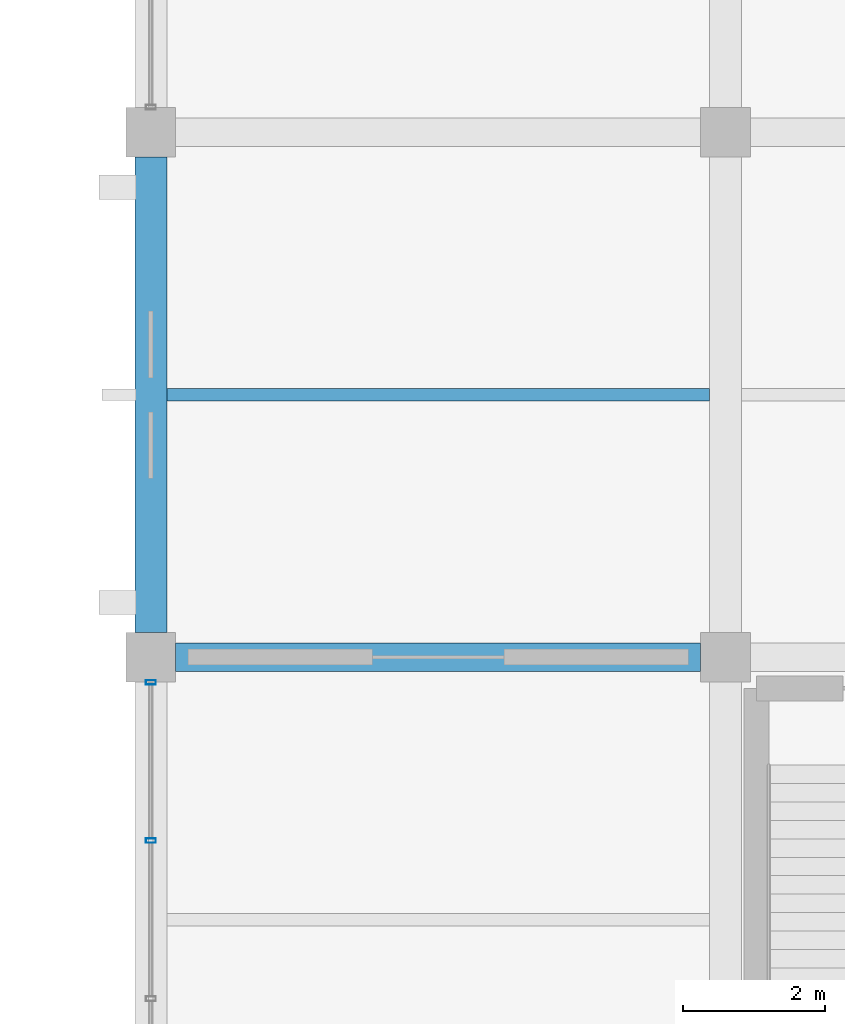
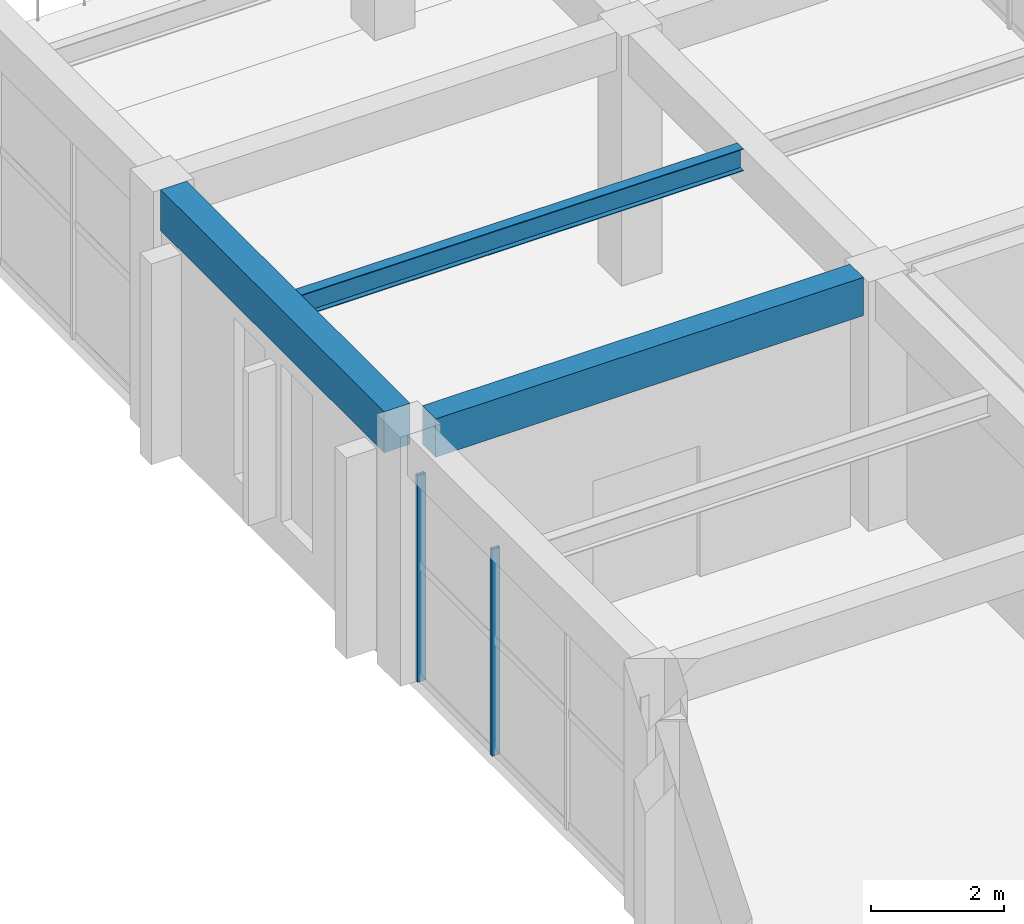
# One storey, part 27 of 161: 3 beams, 2 members, 1 element without a shape of its own.
"""IFC4 building model written with IfcOpenShell, lengths in metres."""

from ifc_helpers import new_model, si_unit, direction, frame, origin, origin_2d, place, context, subcontext, project, spatial, rectangle, hollow_rectangle, i_section, extrude, material, material_profile, profile_set, type_object, element, aggregate, save


model = new_model("IFC4")

# Units and contexts
model_context = context("Model", 3, precision=1e-05, world=origin(), true_north=direction((0.0, 1.0)))
body_context = subcontext(model_context, "Body", "Model", "MODEL_VIEW")
ifc_project = project(units=[si_unit("LENGTHUNIT", "METRE"), si_unit("AREAUNIT", "SQUARE_METRE"), si_unit("VOLUMEUNIT", "CUBIC_METRE"), si_unit("PLANEANGLEUNIT", "RADIAN"), si_unit("MASSUNIT", "GRAM", prefix="KILO")], contexts=[model_context])

# Site, building, storey
site_placement = place(None, origin())
site = spatial("IfcSite", under=ifc_project, at=site_placement, CompositionType="ELEMENT")
building_placement = place(site_placement, origin())
building = spatial("IfcBuilding", under=site, at=building_placement, Name="Cimatlan Art Gallery", CompositionType="ELEMENT")
storey_placement = place(building_placement, frame((0.0, 0.0, 5.39990234375)))
storey = spatial("IfcBuildingStorey", under=building, at=storey_placement, Name="L01", CompositionType="ELEMENT", Elevation=5.39990234375)

# Beams
ifc_material_1 = material(Name="Concrete C40/50", Category="concrete")
ifc_material_profile_1 = material_profile(ifc_material_1, rectangle(XDim=0.39990234375, YDim=0.699951171875, at=origin_2d()), Name="RC400X700")
ifc_profile_set_1 = profile_set([ifc_material_profile_1], Name="Concrete C40/50")
beam_type_1 = type_object("IfcBeamType", Name="BM-RC-400X700", PredefinedType="BEAM", material=ifc_profile_set_1)
beam_1_placement = place(storey_placement, frame((34.75, 60.89990234375, 4.210205078125), z_axis=(1.0, 0.0, 0.0), x_axis=(0.0, 1.0, 0.0)))
element("IfcBeam", 1, at=beam_1_placement, inside=storey, type_object=beam_type_1, Name="BM-X-L01-04-08", PredefinedType="BEAM", context=body_context, shape_type="SweptSolid", body=[
    extrude(rectangle(XDim=0.39990234375, YDim=0.699951171875, at=origin_2d()), origin(), (0.0, 0.0, 1.0), 7.39990234375),
])
ifc_material_profile_2 = material_profile(ifc_material_1, rectangle(XDim=0.449951171875, YDim=0.75, at=origin_2d()), Name="RC450X750")
ifc_profile_set_2 = profile_set([ifc_material_profile_2], Name="Concrete C40/50")
beam_type_2 = type_object("IfcBeamType", Name="BM-RC-450X750", PredefinedType="BEAM", material=ifc_profile_set_2)
beam_2_placement = place(storey_placement, frame((34.39990234375, 61.25, 4.18505859375), z_axis=(0.0, 1.0, 0.0), x_axis=(-1.0, 0.0, 0.0)))
element("IfcBeam", 2, at=beam_2_placement, inside=storey, type_object=beam_type_2, Name="BM-Y-L01-04-08", PredefinedType="BEAM", context=body_context, shape_type="SweptSolid", body=[
    extrude(rectangle(XDim=0.449951171875, YDim=0.75, at=origin_2d()), origin(), (0.0, 0.0, 1.0), 6.699951171875),
])
ifc_material_2 = material(Name="Steel ASTM A992 Grade 50", Category="steel")
ifc_material_profile_3 = material_profile(ifc_material_2, i_section(OverallWidth=0.177978515625, OverallDepth=0.406982421875, WebThickness=0.0078125, FlangeThickness=0.0126953125, at=origin_2d()), Name="W16X40")
ifc_profile_set_3 = profile_set([ifc_material_profile_3], Name="Steel ASTM A992 Grade 50")
beam_type_3 = type_object("IfcBeamType", Name="BM-STL-W16X40", PredefinedType="JOIST", material=ifc_profile_set_3)
beam_3_placement = place(storey_placement, frame((34.625, 64.60009765625, 4.356689453125), z_axis=(1.0, 0.0, 0.0), x_axis=(0.0, 1.0, 0.0)))
element("IfcBeam", 3, at=beam_3_placement, inside=storey, type_object=beam_type_3, Name="JST-L01-04-08", PredefinedType="JOIST", context=body_context, shape_type="SweptSolid", body=[
    extrude(i_section(OverallWidth=0.177978515625, OverallDepth=0.406982421875, WebThickness=0.0078125, FlangeThickness=0.0126953125, at=origin_2d()), origin(), (0.0, 0.0, 1.0), 7.64990234375),
])

# Curtain wall, members
ifc_material_3 = material(Name="Anodised bronze unitised curtain wall")
curtain_wall_type = type_object("IfcCurtainWallType", Name="CW-V-06692X03780-B3", PredefinedType="NOTDEFINED", material=ifc_material_3)
curtain_wall_placement = place(storey_placement, origin())
curtain_wall = element("IfcCurtainWall", 4, at=curtain_wall_placement, inside=storey, type_object=curtain_wall_type, Name="CW-L01-04-07-W", PredefinedType="NOTDEFINED")
ifc_material_4 = material(Name="Anodised bronze aluminium 6063-T6", Category="aluminium")
ifc_material_profile_4 = material_profile(ifc_material_4, hollow_rectangle(XDim=0.06494140625, YDim=0.139892578125, WallThickness=0.00390625, at=origin_2d()), Name="ALU65X140X4")
ifc_profile_set_4 = profile_set([ifc_material_profile_4], Name="Anodised bronze aluminium 6063-T6")
member_type = type_object("IfcMemberType", Name="CW-MUL-140", PredefinedType="MULLION", material=ifc_profile_set_4)
member_1_placement = place(storey_placement, frame((34.39990234375, 58.3154296875, 0.0), z_axis=(0.0, 0.0, 1.0), x_axis=(0.0, 1.0, 0.0)))
member_1 = element("IfcMember", 5, at=member_1_placement, type_object=member_type, Name="CW-L01-04-07-W-M3", PredefinedType="MULLION", context=body_context, shape_type="SweptSolid", body=[
    extrude(hollow_rectangle(XDim=0.06494140625, YDim=0.139892578125, WallThickness=0.00390625, at=origin_2d()), origin(), (0.0, 0.0, 1.0), 3.780029296875),
])
member_2_placement = place(storey_placement, frame((34.39990234375, 60.5458984375, 0.0), z_axis=(0.0, 0.0, 1.0), x_axis=(0.0, 1.0, 0.0)))
member_2 = element("IfcMember", 6, at=member_2_placement, type_object=member_type, Name="CW-L01-04-07-W-M4", PredefinedType="MULLION", context=body_context, shape_type="SweptSolid", body=[
    extrude(hollow_rectangle(XDim=0.06494140625, YDim=0.139892578125, WallThickness=0.00390625, at=origin_2d()), origin(), (0.0, 0.0, 1.0), 3.780029296875),
])
aggregate(curtain_wall, [member_1, member_2])

save(model, "model.ifc")
